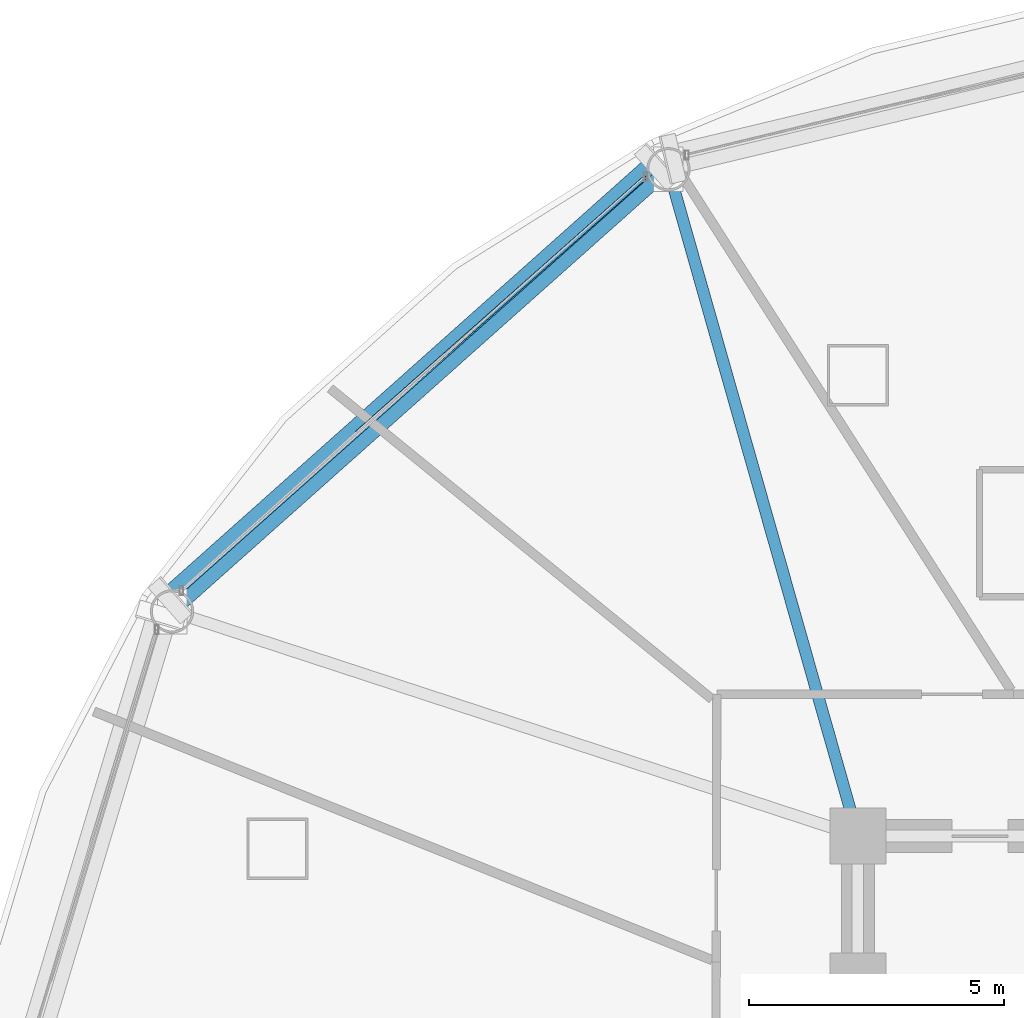
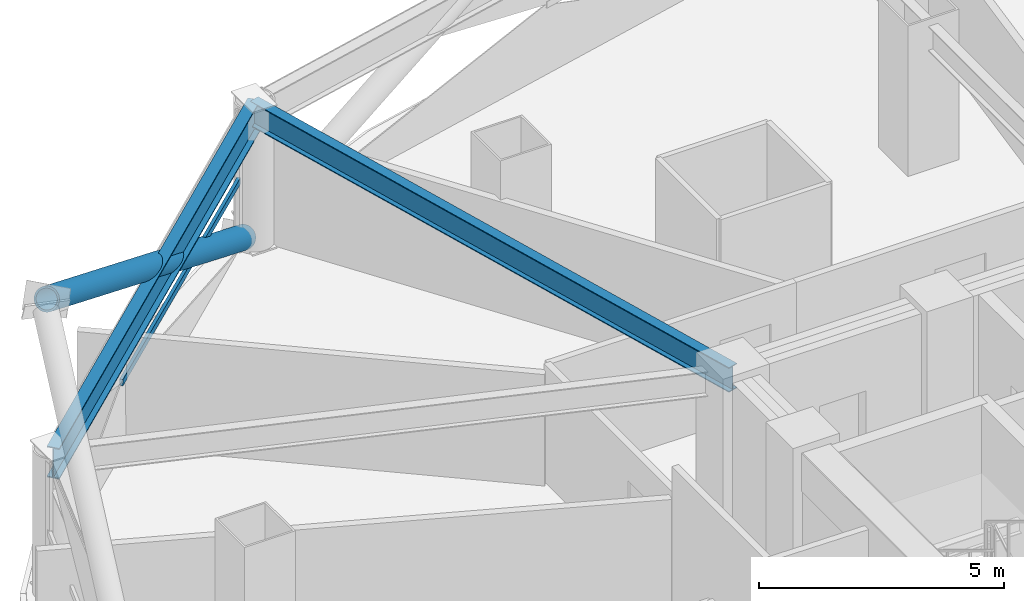
# One storey, part 16 of 31: 2 beams, 2 members, 1 element without a shape of its own.
"""IFC4 building model written with IfcOpenShell, lengths in metres."""

from ifc_helpers import new_model, si_unit, direction, frame, origin, origin_2d, place, context, subcontext, project, spatial, hollow_rectangle, hollow_circle, i_section, extrude, material, layer, layer_set, material_profile, profile_set, type_object, element, aggregate, save


model = new_model("IFC4")

# Units and contexts
model_context = context("Model", 3, precision=1e-05, world=origin(), true_north=direction((0.0, 1.0)))
body_context = subcontext(model_context, "Body", "Model", "MODEL_VIEW")
ifc_project = project(units=[si_unit("LENGTHUNIT", "METRE"), si_unit("AREAUNIT", "SQUARE_METRE"), si_unit("VOLUMEUNIT", "CUBIC_METRE"), si_unit("PLANEANGLEUNIT", "RADIAN"), si_unit("MASSUNIT", "GRAM", prefix="KILO")], contexts=[model_context])

# Site, building, storey
site_placement = place(None, origin())
site = spatial("IfcSite", under=ifc_project, at=site_placement, CompositionType="ELEMENT")
building_placement = place(site_placement, origin())
building = spatial("IfcBuilding", under=site, at=building_placement, Name="Vantalir Tower", CompositionType="ELEMENT")
storey_placement = place(building_placement, frame((0.0, 0.0, 42.0)))
storey = spatial("IfcBuildingStorey", under=building, at=storey_placement, Name="L09", CompositionType="ELEMENT", Elevation=42.0)

# Beams
ifc_material_1 = material(Name="Steel S355", Category="steel")
ifc_material_profile_1 = material_profile(ifc_material_1, i_section(OverallWidth=0.22998046875, OverallDepth=0.616943359375, WebThickness=0.01318359375, FlangeThickness=0.022216796875, at=origin_2d()), Name="Steel S355")
ifc_profile_set_1 = profile_set([ifc_material_profile_1], Name="Steel S355")
beam_type_1 = type_object("IfcBeamType", Name="BM-RB-610x229", PredefinedType="BEAM", material=ifc_profile_set_1)
beam_1_placement = place(storey_placement, frame((18.180908203125, 45.547119140625, 3.261962890625), z_axis=(0.273155282816, -0.961969953517, 0.0), x_axis=(0.961969953517, 0.273155282816, 0.0)))
element("IfcBeam", 1, at=beam_1_placement, inside=storey, type_object=beam_type_1, Name="L09 Radial Floor Beam 05", PredefinedType="BEAM", context=body_context, shape_type="SweptSolid", body=[
    extrude(i_section(OverallWidth=0.22998046875, OverallDepth=0.616943359375, WebThickness=0.01318359375, FlangeThickness=0.022216796875, at=origin_2d()), origin(), (0.0, 0.0, 1.0), 13.614990234375),
])
ifc_material_2 = material(Name="Steel S460", Category="steel")
ifc_material_profile_2 = material_profile(ifc_material_2, i_section(OverallWidth=0.26806640625, OverallDepth=0.77001953125, WebThickness=0.015625, FlangeThickness=0.025390625, at=origin_2d()), Name="Steel S460")
ifc_profile_set_2 = profile_set([ifc_material_profile_2], Name="Steel S460")
beam_type_2 = type_object("IfcBeamType", Name="BM-RG-762x267", PredefinedType="USERDEFINED", material=ifc_profile_set_2)
beam_2_placement = place(storey_placement, frame((18.180908203125, 45.547119140625, 3.18505859375), z_axis=(-0.746779714513, -0.665071468334, 0.0), x_axis=(0.665071468334, -0.746779714513, 0.0)))
element("IfcBeam", 2, at=beam_2_placement, inside=storey, type_object=beam_type_2, Name="L09 Circumferential Ring Girder 05", ObjectType="GIRDER", PredefinedType="USERDEFINED", context=body_context, shape_type="SweptSolid", body=[
    extrude(i_section(OverallWidth=0.26806640625, OverallDepth=0.77001953125, WebThickness=0.015625, FlangeThickness=0.025390625, at=origin_2d()), origin(), (0.0, 0.0, 1.0), 13.057373046875),
])

# Curtain wall, member
ifc_material_3 = material(Name="Champagne-silver PVDF aluminium and double-silver Low-E glass", Category="aluminium")
ifc_layer = layer(ifc_material_3, 0.18994140625)
ifc_layer_set = layer_set([ifc_layer], Name="Champagne-silver PVDF aluminium and double-silver Low-E glass")
curtain_wall_type = type_object("IfcCurtainWallType", Name="CW-DIAMOND-Z1", PredefinedType="USERDEFINED", material=ifc_layer_set)
curtain_wall_placement = place(storey_placement, origin())
curtain_wall = element("IfcCurtainWall", 3, at=curtain_wall_placement, inside=storey, type_object=curtain_wall_type, Name="L09 Quilted Pyramid-Diamond Curtain Wall S05", ObjectType="UNITISED CURTAIN WALL", PredefinedType="USERDEFINED")
ifc_material_4 = material(Name="Champagne-silver PVDF aluminium 6063-T6", Category="aluminium")
ifc_material_profile_3 = material_profile(ifc_material_4, hollow_rectangle(XDim=0.074951171875, YDim=0.159912109375, WallThickness=0.00390625, at=origin_2d()), Name="Champagne-silver PVDF aluminium 6063-T6")
ifc_profile_set_3 = profile_set([ifc_material_profile_3], Name="Champagne-silver PVDF aluminium 6063-T6")
member_type_1 = type_object("IfcMemberType", Name="CWT-160x75", PredefinedType="USERDEFINED", material=ifc_profile_set_3)
member_1_placement = place(storey_placement, frame((17.735107421875, 45.39892578125, 1.784912109375), z_axis=(-0.748577672657, -0.663047108432, 0.0), x_axis=(0.663047108432, -0.748577672657, 0.0)))
member_1 = element("IfcMember", 4, at=member_1_placement, type_object=member_type_1, Name="CW-L09-S05 Pyramid Fold Ridge Transom", ObjectType="TRANSOM", PredefinedType="USERDEFINED", context=body_context, shape_type="SweptSolid", body=[
    extrude(hollow_rectangle(XDim=0.074951171875, YDim=0.159912109375, WallThickness=0.00390625, at=origin_2d()), origin(), (0.0, 0.0, 1.0), 7.57861328125),
])
aggregate(curtain_wall, [member_1])

# Member
ifc_material_profile_4 = material_profile(ifc_material_2, hollow_circle(Radius=0.27001953125, WallThickness=0.044921875, at=origin_2d()), Name="Steel S460")
ifc_profile_set_4 = profile_set([ifc_material_profile_4], Name="Steel S460")
member_type_2 = type_object("IfcMemberType", Name="MEM-DB-540x45", PredefinedType="BRACE", material=ifc_profile_set_4)
member_2_placement = place(storey_placement, frame((17.94189453125, 45.5830078125, 0.18505859375), z_axis=(-0.655712574441, -0.584393105502, 0.478043636044), x_axis=(0.665341108072, -0.746539489853, 0.0)))
element("IfcMember", 5, at=member_2_placement, inside=storey, type_object=member_type_2, Name="L09 Perimeter S460 Diagrid Brace R13L", PredefinedType="BRACE", context=body_context, shape_type="SweptSolid", body=[
    extrude(hollow_circle(Radius=0.27001953125, WallThickness=0.044921875, at=origin_2d()), origin(), (0.0, 0.0, 1.0), 14.538330078125),
])

save(model, "model.ifc")
